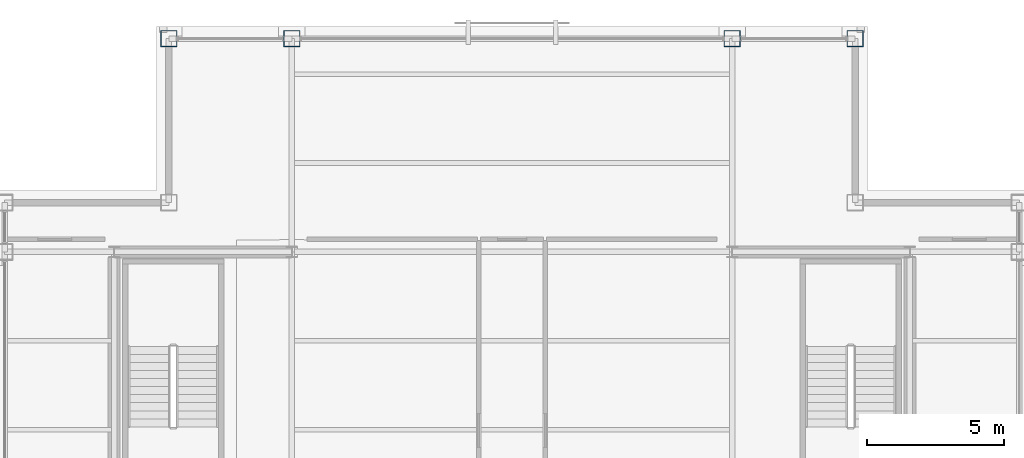
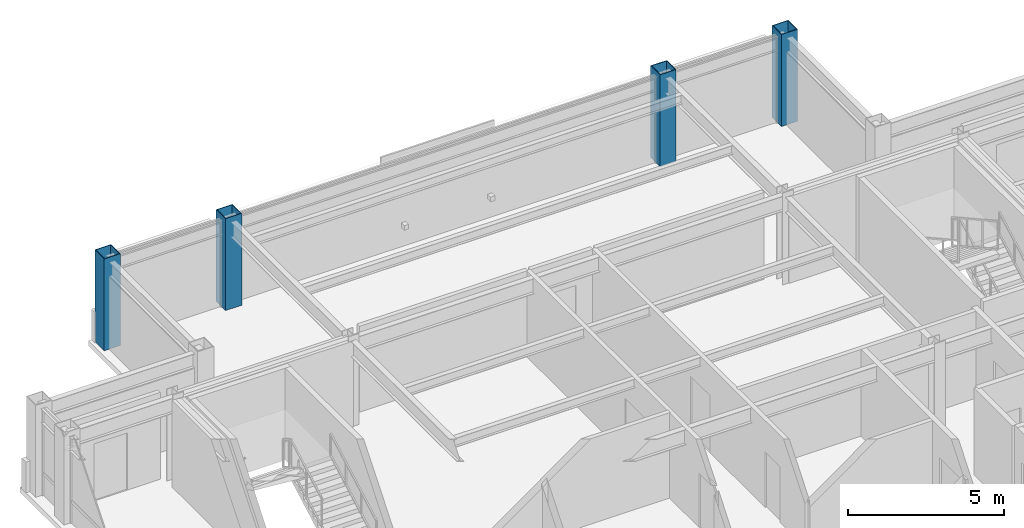
# One storey, part 2 of 24: 4 columns.
"""IFC4 building model written with IfcOpenShell, lengths in metres."""

from ifc_helpers import new_model, si_unit, direction, frame, origin, origin_2d, place, context, subcontext, project, spatial, hollow_rectangle, extrude, material, material_profile, profile_set, type_object, element, save


model = new_model("IFC4")

# Units and contexts
model_context = context("Model", 3, precision=1e-05, world=origin(), true_north=direction((0.0, 1.0)))
body_context = subcontext(model_context, "Body", "Model", "MODEL_VIEW")
ifc_project = project(units=[si_unit("LENGTHUNIT", "METRE"), si_unit("AREAUNIT", "SQUARE_METRE"), si_unit("VOLUMEUNIT", "CUBIC_METRE"), si_unit("PLANEANGLEUNIT", "RADIAN"), si_unit("MASSUNIT", "GRAM", prefix="KILO")], contexts=[model_context])

# Site, building, storey
site_placement = place(None, origin())
site = spatial("IfcSite", under=ifc_project, at=site_placement, CompositionType="ELEMENT")
building_placement = place(site_placement, origin())
building = spatial("IfcBuilding", under=site, at=building_placement, Name="Brelmoor Portico Tower", CompositionType="ELEMENT")
storey_placement = place(building_placement, frame((0.0, 0.0, 254.39990234375)))
storey = spatial("IfcBuildingStorey", under=building, at=storey_placement, Name="L67", CompositionType="ELEMENT", Elevation=254.39990234375)

# Columns
ifc_material = material(Name="Steel Q355B", Category="steel")
ifc_material_profile = material_profile(ifc_material, hollow_rectangle(XDim=0.60009765625, YDim=0.60009765625, WallThickness=0.02490234375, at=origin_2d()), Name="BOX 600x600x25")
ifc_profile_set = profile_set([ifc_material_profile], Name="Steel Q355B")
column_type = type_object("IfcColumnType", Name="COL-MEGA-600", PredefinedType="COLUMN", material=ifc_profile_set)
for number, where, z_axis, x_axis, name in (
    (1, (-12.550048828125, 17.550048828125, 0.0), (0.0, 0.0, 1.0), (1.0, 0.0, 0.0), "L67 Perimeter Mega-Column PN01"),
    (2, (-8.050048828125, 17.550048828125, 0.0), (0.0, 0.0, 1.0), (1.0, 0.0, 0.0), "L67 Perimeter Mega-Column PN02"),
    (3, (8.050048828125, 17.550048828125, 0.0), (0.0, 0.0, 1.0), (1.0, 0.0, 0.0), "L67 Perimeter Mega-Column PN03"),
    (4, (12.550048828125, 17.550048828125, 0.0), (0.0, 0.0, 1.0), (1.0, 0.0, 0.0), "L67 Perimeter Mega-Column PN04"),
):
    element("IfcColumn", number, at=place(storey_placement, frame(where, z_axis=z_axis, x_axis=x_axis)), inside=storey, type_object=column_type, Name=name, PredefinedType="COLUMN", context=body_context, shape_type="SweptSolid", body=[
        extrude(hollow_rectangle(XDim=0.60009765625, YDim=0.60009765625, WallThickness=0.02490234375, at=origin_2d()), origin(), (0.0, 0.0, 1.0), 3.60009765625),
    ])

save(model, "model.ifc")
